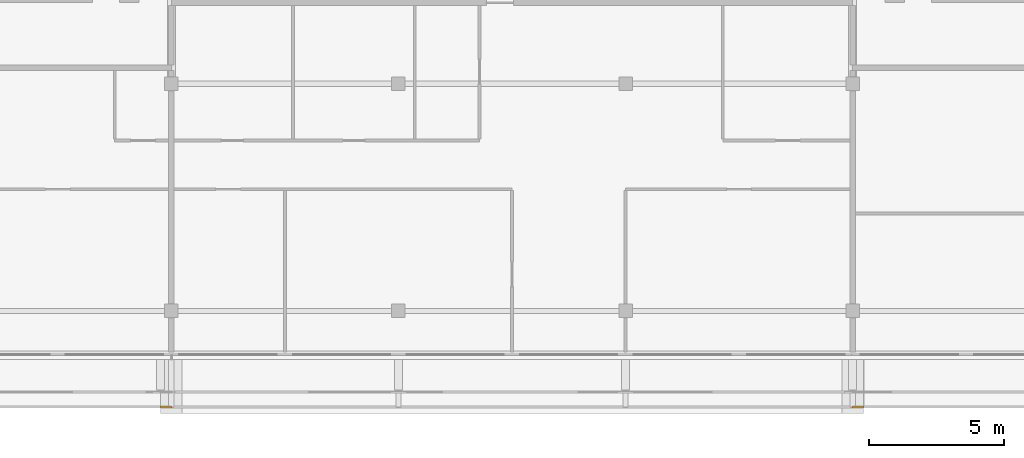
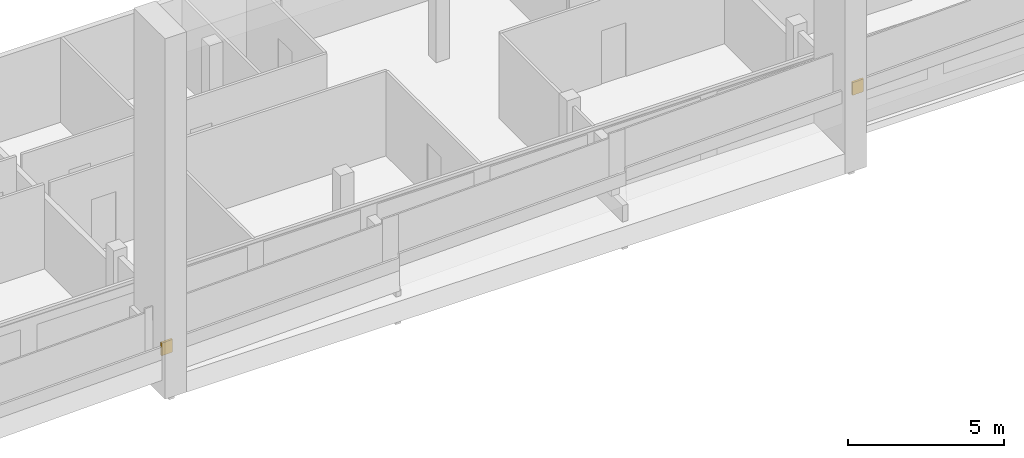
# One storey, part 28 of 29: 2 coverings.
"""IFC4 building model written with IfcOpenShell, lengths in metres."""

from ifc_helpers import new_model, si_unit, direction, frame, origin, place, context, subcontext, project, spatial, polyline, outline, extrude, material, layer, layer_set, type_object, element, save


model = new_model("IFC4")

# Units and contexts
model_context = context("Model", 3, precision=1e-05, world=origin(), true_north=direction((0.0, 1.0)))
body_context = subcontext(model_context, "Body", "Model", "MODEL_VIEW")
ifc_project = project(units=[si_unit("LENGTHUNIT", "METRE"), si_unit("AREAUNIT", "SQUARE_METRE"), si_unit("VOLUMEUNIT", "CUBIC_METRE"), si_unit("PLANEANGLEUNIT", "RADIAN"), si_unit("MASSUNIT", "GRAM", prefix="KILO")], contexts=[model_context])

# Site, building, storey
site_placement = place(None, origin())
site = spatial("IfcSite", under=ifc_project, at=site_placement, CompositionType="ELEMENT")
building_placement = place(site_placement, origin())
building = spatial("IfcBuilding", under=site, at=building_placement, Name="Saffron Gate Tower", CompositionType="ELEMENT")
storey_placement = place(building_placement, frame((0.0, 0.0, 270.75)))
storey = spatial("IfcBuildingStorey", under=building, at=storey_placement, Name="L65", CompositionType="ELEMENT", Elevation=270.75)

# Coverings
ifc_material = material(Name="Timber, thermally modified ash", Category="wood")
ifc_layer = layer(ifc_material, 0.080078125)
ifc_layer_set = layer_set([ifc_layer], Name="LD2 ledge planter trough")
covering_type = type_object("IfcCoveringType", Name="LD2 ledge planter trough", PredefinedType="CLADDING", material=ifc_layer_set)
covering_1_placement = place(storey_placement, frame((74.60009765625, 28.199951171875, 1.577880859375), z_axis=(0.0, -1.0, 0.0), x_axis=(0.999588594726, 0.0, 0.028681724025)))
element("IfcCovering", 1, at=covering_1_placement, inside=storey, type_object=covering_type, Name="LEDGE planter trough", PredefinedType="CLADDING", context=body_context, shape_type="SweptSolid", body=[
    extrude(outline(polyline([(0.0, 0.0), (0.40006693339621563, 0.0), (0.4144077954084678, 0.4997942973631708), (0.014340862012252152, 0.49979429736317077), (0.0, 0.0)])), origin(), (0.0, 0.0, -1.0), 0.080078125),
])
covering_2_placement = place(storey_placement, frame((100.199951171875, 28.199951171875, 2.8173828125), z_axis=(0.0, -1.0, 0.0), x_axis=(0.999589096284, 0.0, 0.028664238881)))
element("IfcCovering", 2, at=covering_2_placement, inside=storey, type_object=covering_type, Name="LEDGE planter trough", PredefinedType="CLADDING", context=body_context, shape_type="SweptSolid", body=[
    extrude(outline(polyline([(0.0, 0.0), (0.40031097364171886, -1.734723475976807e-18), (0.4146430930820291, 0.4997945481418826), (0.014332119440310242, 0.4997945481418827), (0.0, 0.0)])), origin(), (0.0, 0.0, -1.0), 0.080078125),
])

save(model, "model.ifc")
